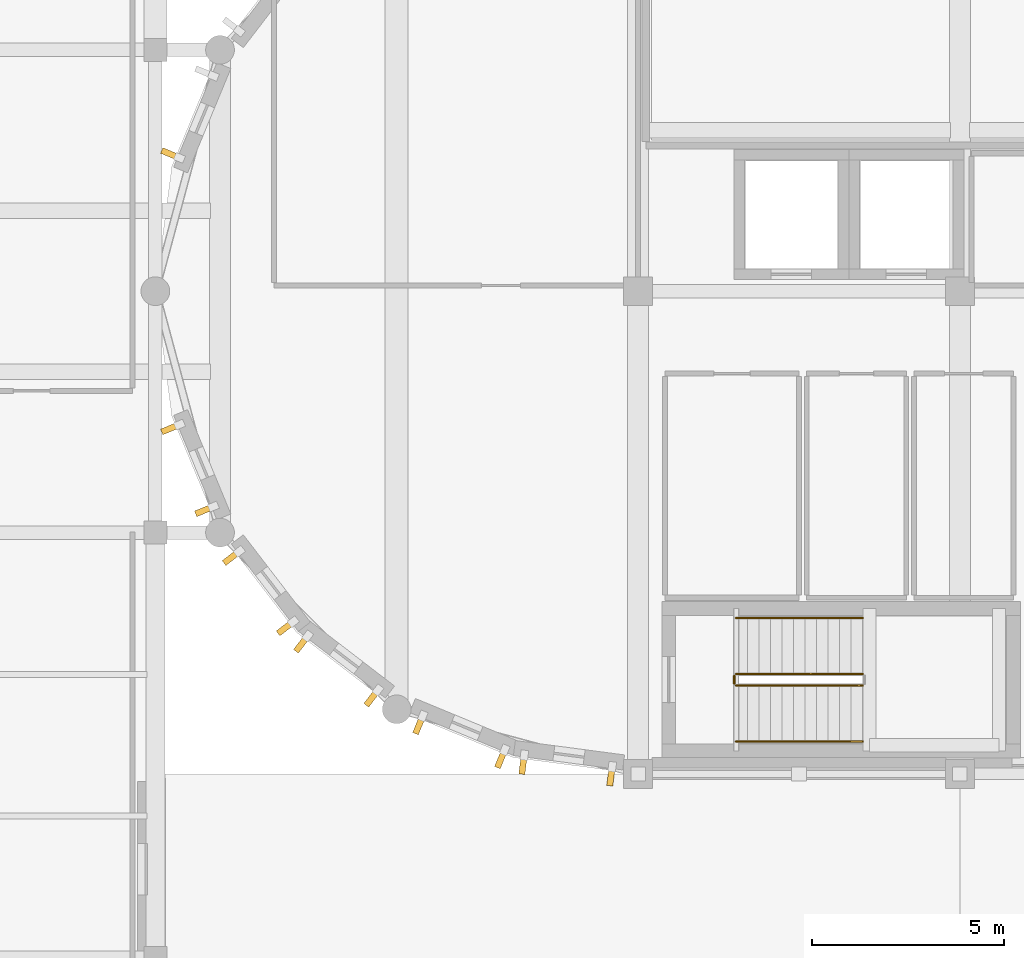
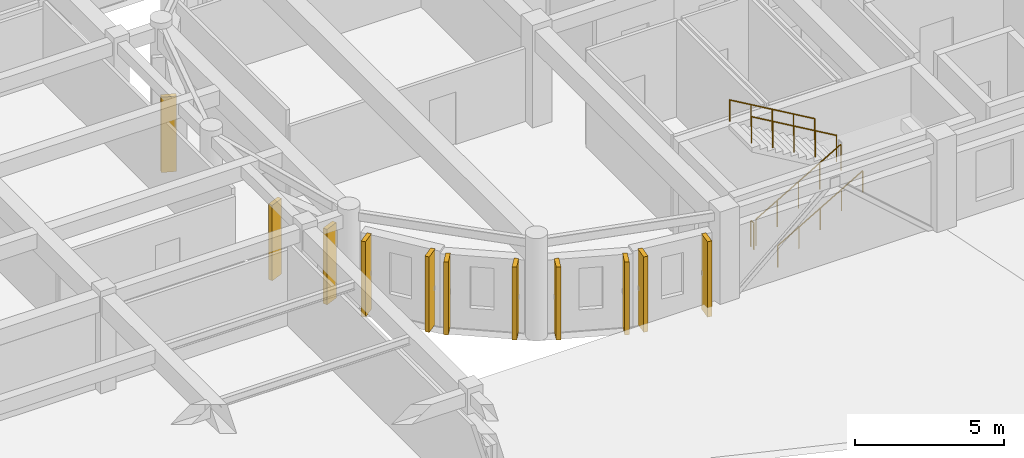
# One storey, part 38 of 46: 11 coverings, 5 railings.
"""IFC4 building model written with IfcOpenShell, lengths in metres."""

from ifc_helpers import new_model, si_unit, direction, frame, origin, origin_2d, place, context, subcontext, project, spatial, rectangle, circle, extrude, material, layer, layer_set, type_object, element, save


model = new_model("IFC4")

# Units and contexts
model_context = context("Model", 3, precision=1e-05, world=origin(), true_north=direction((0.0, 1.0)))
body_context = subcontext(model_context, "Body", "Model", "MODEL_VIEW")
ifc_project = project(units=[si_unit("LENGTHUNIT", "METRE"), si_unit("AREAUNIT", "SQUARE_METRE"), si_unit("VOLUMEUNIT", "CUBIC_METRE"), si_unit("PLANEANGLEUNIT", "RADIAN"), si_unit("MASSUNIT", "GRAM", prefix="KILO")], contexts=[model_context])

# Site, building, storey
site_placement = place(None, origin())
site = spatial("IfcSite", under=ifc_project, at=site_placement, CompositionType="ELEMENT")
building_placement = place(site_placement, origin())
building = spatial("IfcBuilding", under=site, at=building_placement, Name="Tarnavel Promenade Courthouse", CompositionType="ELEMENT")
storey_placement = place(building_placement, frame((0.0, 0.0, 14.39990234375)))
storey = spatial("IfcBuildingStorey", under=building, at=storey_placement, Name="L04", CompositionType="ELEMENT", Elevation=14.39990234375)

# Railings
ifc_material_1 = material(Name="Brushed Bronze Tubular Stair Handrail")
railing_type_1 = type_object("IfcRailingType", Name="Brushed Bronze Tubular Stair Handrail (RL-HND-0900)", PredefinedType="HANDRAIL", material=ifc_material_1)
railing_1_placement = place(storey_placement, frame((61.360107421875, 80.050048828125, 0.175048828125)))
element("IfcRailing", 1, at=railing_1_placement, inside=storey, type_object=railing_type_1, Name="L04 ST-01 stair handrail 1", PredefinedType="HANDRAIL", context=body_context, shape_type="SweptSolid", body=[
    extrude(circle(Radius=0.02392578125, at=origin_2d()), frame((0.0, 0.0, 0.8759765625), z_axis=(0.863760357493, 0.0, 0.503902812876), x_axis=(0.0, 1.0, 0.0)), (0.0, 0.0, 1.0), 3.8203125),
    extrude(circle(Radius=0.02099609375, at=origin_2d()), origin(), (0.0, 0.0, 1.0), 0.851806640625),
    extrude(circle(Radius=0.02099609375, at=origin_2d()), frame((0.824951171875, 0.0, 0.481201171875)), (0.0, 0.0, 1.0), 0.851806640625),
    extrude(circle(Radius=0.02099609375, at=origin_2d()), frame((1.64990234375, 0.0, 0.96240234375)), (0.0, 0.0, 1.0), 0.851806640625),
    extrude(circle(Radius=0.02099609375, at=origin_2d()), frame((2.474853515625, 0.0, 1.44384765625)), (0.0, 0.0, 1.0), 0.851806640625),
    extrude(circle(Radius=0.02099609375, at=origin_2d()), frame((3.2998046875, 0.0, 1.925048828125)), (0.0, 0.0, 1.0), 0.851806640625),
])
railing_2_placement = place(storey_placement, frame((64.659912109375, 83.27001953125, 2.275146484375)))
element("IfcRailing", 2, at=railing_2_placement, inside=storey, type_object=railing_type_1, Name="L04 ST-01 stair handrail 2", PredefinedType="HANDRAIL", context=body_context, shape_type="SweptSolid", body=[
    extrude(circle(Radius=0.02392578125, at=origin_2d()), frame((0.0, 0.0, 0.8759765625), z_axis=(-0.863760357493, 0.0, 0.503902812876), x_axis=(0.0, -1.0, 0.0)), (0.0, 0.0, 1.0), 3.8203125),
    extrude(circle(Radius=0.02099609375, at=origin_2d()), origin(), (0.0, 0.0, 1.0), 0.851806640625),
    extrude(circle(Radius=0.02099609375, at=origin_2d()), frame((-0.824951171875, 0.0, 0.481201171875)), (0.0, 0.0, 1.0), 0.851806640625),
    extrude(circle(Radius=0.02099609375, at=origin_2d()), frame((-1.64990234375, 0.0, 0.96240234375)), (0.0, 0.0, 1.0), 0.851806640625),
    extrude(circle(Radius=0.02099609375, at=origin_2d()), frame((-2.474853515625, 0.0, 1.44384765625)), (0.0, 0.0, 1.0), 0.851806640625),
    extrude(circle(Radius=0.02099609375, at=origin_2d()), frame((-3.2998046875, 0.0, 1.925048828125)), (0.0, 0.0, 1.0), 0.851806640625),
])
ifc_material_2 = material(Name="Painted Architectural Steel Core Stair Guardrail", Category="steel")
railing_type_2 = type_object("IfcRailingType", Name="Painted Architectural Steel Core Stair Guardrail (RL-GRD-1100)", PredefinedType="GUARDRAIL", material=ifc_material_2)
railing_3_placement = place(storey_placement, frame((61.360107421875, 81.510009765625, 0.175048828125)))
element("IfcRailing", 3, at=railing_3_placement, inside=storey, type_object=railing_type_2, Name="L04 ST-01 stair guard 1", PredefinedType="GUARDRAIL", context=body_context, shape_type="SweptSolid", body=[
    extrude(circle(Radius=0.02392578125, at=origin_2d()), frame((0.0, 0.0, 1.076171875), z_axis=(0.863760357493, 0.0, 0.503902812876), x_axis=(0.0, 1.0, 0.0)), (0.0, 0.0, 1.0), 3.8203125),
    extrude(circle(Radius=0.02099609375, at=origin_2d()), origin(), (0.0, 0.0, 1.0), 1.052001953125),
    extrude(circle(Radius=0.02099609375, at=origin_2d()), frame((0.824951171875, 0.0, 0.481201171875)), (0.0, 0.0, 1.0), 1.052001953125),
    extrude(circle(Radius=0.02099609375, at=origin_2d()), frame((1.64990234375, 0.0, 0.96240234375)), (0.0, 0.0, 1.0), 1.052001953125),
    extrude(circle(Radius=0.02099609375, at=origin_2d()), frame((2.474853515625, 0.0, 1.44384765625)), (0.0, 0.0, 1.0), 1.052001953125),
    extrude(circle(Radius=0.02099609375, at=origin_2d()), frame((3.2998046875, 0.0, 1.925048828125)), (0.0, 0.0, 1.0), 1.052001953125),
])
railing_4_placement = place(storey_placement, frame((64.659912109375, 81.81005859375, 2.275146484375)))
element("IfcRailing", 4, at=railing_4_placement, inside=storey, type_object=railing_type_2, Name="L04 ST-01 stair guard 3", PredefinedType="GUARDRAIL", context=body_context, shape_type="SweptSolid", body=[
    extrude(circle(Radius=0.02392578125, at=origin_2d()), frame((0.0, 0.0, 1.076171875), z_axis=(-0.863760357493, 0.0, 0.503902812876), x_axis=(0.0, -1.0, 0.0)), (0.0, 0.0, 1.0), 3.8203125),
    extrude(circle(Radius=0.02099609375, at=origin_2d()), origin(), (0.0, 0.0, 1.0), 1.052001953125),
    extrude(circle(Radius=0.02099609375, at=origin_2d()), frame((-0.824951171875, 0.0, 0.481201171875)), (0.0, 0.0, 1.0), 1.052001953125),
    extrude(circle(Radius=0.02099609375, at=origin_2d()), frame((-1.64990234375, 0.0, 0.96240234375)), (0.0, 0.0, 1.0), 1.052001953125),
    extrude(circle(Radius=0.02099609375, at=origin_2d()), frame((-2.474853515625, 0.0, 1.44384765625)), (0.0, 0.0, 1.0), 1.052001953125),
    extrude(circle(Radius=0.02099609375, at=origin_2d()), frame((-3.2998046875, 0.0, 1.925048828125)), (0.0, 0.0, 1.0), 1.052001953125),
])
railing_5_placement = place(storey_placement, frame((61.31005859375, 81.56005859375, 0.0)))
element("IfcRailing", 5, at=railing_5_placement, inside=storey, type_object=railing_type_2, Name="L04 ST-01 stair guard 4", PredefinedType="GUARDRAIL", context=body_context, shape_type="SweptSolid", body=[
    extrude(circle(Radius=0.02392578125, at=origin_2d()), frame((0.0, 0.0, 1.076171875), z_axis=(0.0, 1.0, 0.0), x_axis=(-1.0, 0.0, 0.0)), (0.0, 0.0, 1.0), 0.199951171875),
    extrude(circle(Radius=0.02099609375, at=origin_2d()), origin(), (0.0, 0.0, 1.0), 1.052001953125),
    extrude(circle(Radius=0.02099609375, at=origin_2d()), frame((0.0, 0.199951171875, 0.0)), (0.0, 0.0, 1.0), 1.052001953125),
])

# Coverings
ifc_material_3 = material(Name="Patinated Copper-Bronze Fluted Pier Cladding")
ifc_layer = layer(ifc_material_3, 0.52001953125)
ifc_layer_set = layer_set([ifc_layer], Name="Patinated Copper-Bronze Fluted Pier Cladding")
covering_type = type_object("IfcCoveringType", Name="Patinated Copper-Bronze Fluted Pier Cladding COV-PIER-520 (520 mm)", PredefinedType="CLADDING", material=ifc_layer_set)
for number, where, z_axis, x_axis, name in (
    (6, (46.607177734375, 95.373291015625, 0.0), (0.0, 0.0, 1.0), (-0.382683432365, -0.923879532511, 0.0), "L04 W Drum Fluted Copper Pier 0100"),
    (7, (46.607177734375, 88.2265625, 0.0), (0.0, 0.0, 1.0), (0.382683432365, -0.923879532511, 0.0), "L04 W Drum Fluted Copper Pier 0101"),
    (8, (47.492919921875, 86.08837890625, 0.0), (0.0, 0.0, 1.0), (0.382683432365, -0.923879532511, 0.0), "L04 W Drum Fluted Copper Pier 0102"),
    (9, (48.2001953125, 84.86328125, 0.0), (0.0, 0.0, 1.0), (0.608761429009, -0.793353340291, 0.0), "L04 W Drum Fluted Copper Pier 0103"),
    (10, (49.60888671875, 83.02734375, 0.0), (0.0, 0.0, 1.0), (0.608761429009, -0.793353340291, 0.0), "L04 W Drum Fluted Copper Pier 0104"),
):
    element("IfcCovering", number, at=place(storey_placement, frame(where, z_axis=z_axis, x_axis=x_axis)), inside=storey, type_object=covering_type, Name=name, PredefinedType="CLADDING", context=body_context, shape_type="SweptSolid", body=[
        extrude(rectangle(XDim=0.159912109375, YDim=0.52001953125, at=origin_2d()), origin(), (0.0, 0.0, 1.0), 3.090087890625),
    ])
for number, where, z_axis, x_axis, name in (
    (11, (50.02734375, 82.60888671875, 0.0), (0.0, 0.0, 1.0), (0.793353340291, -0.608761429009, 0.0), "L04 W Drum Fluted Copper Pier 0105"),
    (12, (51.86328125, 81.2001953125, 0.0), (0.0, 0.0, 1.0), (0.793353340291, -0.608761429009, 0.0), "L04 W Drum Fluted Copper Pier 0106"),
    (13, (53.08837890625, 80.492919921875, 0.0), (0.0, 0.0, 1.0), (0.923879532511, -0.382683432365, 0.0), "L04 W Drum Fluted Copper Pier 0107"),
    (14, (55.2265625, 79.607177734375, 0.0), (0.0, 0.0, 1.0), (0.923879532511, -0.382683432365, 0.0), "L04 W Drum Fluted Copper Pier 0108"),
):
    element("IfcCovering", number, at=place(storey_placement, frame(where, z_axis=z_axis, x_axis=x_axis)), inside=storey, type_object=covering_type, Name=name, PredefinedType="CLADDING", context=body_context, shape_type="SweptSolid", body=[
        extrude(rectangle(XDim=0.159912109375, YDim=0.52001953125, at=origin_2d()), origin(), (0.0, 0.0, 1.0), 2.989990234375),
    ])
for number, where, z_axis, x_axis, name in (
    (15, (55.798095703125, 79.4541015625, 0.0), (0.0, 0.0, 1.0), (0.991444861374, -0.13052619222, 0.0), "L04 W Drum Fluted Copper Pier 0109"),
    (16, (58.0927734375, 79.15185546875, 0.0), (0.0, 0.0, 1.0), (0.991444861374, -0.13052619222, 0.0), "L04 W Drum Fluted Copper Pier 0110"),
):
    element("IfcCovering", number, at=place(storey_placement, frame(where, z_axis=z_axis, x_axis=x_axis)), inside=storey, type_object=covering_type, Name=name, PredefinedType="CLADDING", context=body_context, shape_type="SweptSolid", body=[
        extrude(rectangle(XDim=0.159912109375, YDim=0.52001953125, at=origin_2d()), origin(), (0.0, 0.0, 1.0), 3.090087890625),
    ])

save(model, "model.ifc")
